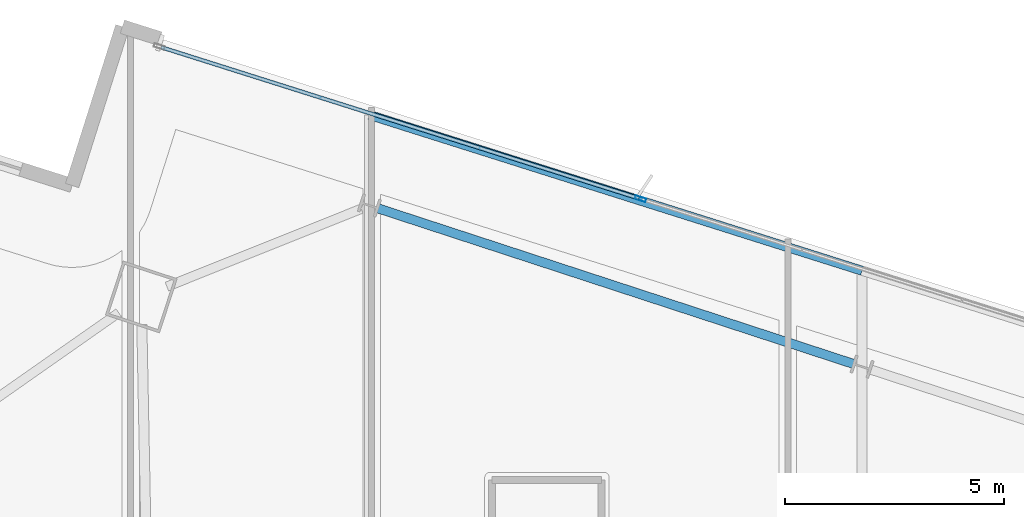
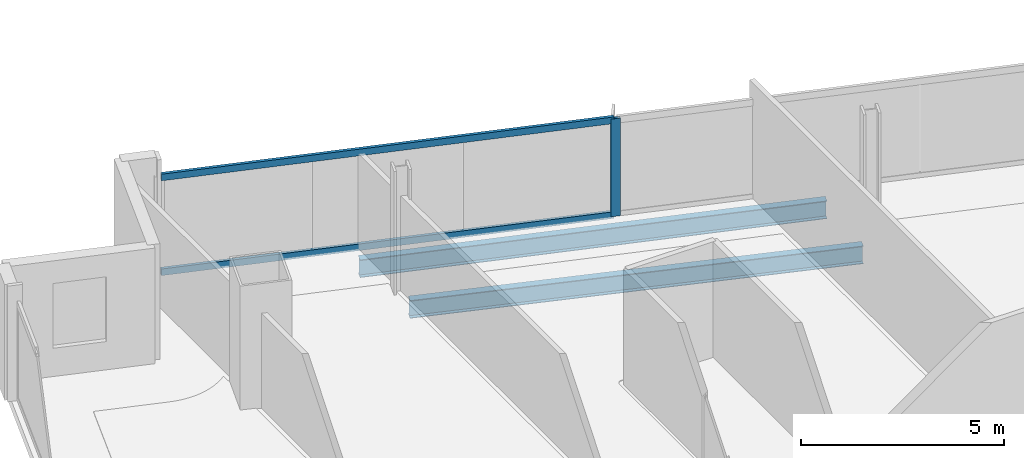
# One storey, part 13 of 26: 3 members, 2 beams, 1 element without a shape of its own.
"""IFC4 building model written with IfcOpenShell, lengths in metres."""

from ifc_helpers import new_model, si_unit, direction, frame, origin, origin_2d, place, context, subcontext, project, spatial, hollow_rectangle, i_section, extrude, material, material_profile, profile_set, type_object, element, aggregate, save


model = new_model("IFC4")

# Units and contexts
model_context = context("Model", 3, precision=1e-05, world=origin(), true_north=direction((0.0, 1.0)))
body_context = subcontext(model_context, "Body", "Model", "MODEL_VIEW")
ifc_project = project(units=[si_unit("LENGTHUNIT", "METRE"), si_unit("AREAUNIT", "SQUARE_METRE"), si_unit("VOLUMEUNIT", "CUBIC_METRE"), si_unit("PLANEANGLEUNIT", "RADIAN"), si_unit("MASSUNIT", "GRAM", prefix="KILO")], contexts=[model_context])

# Site, building, storey
site_placement = place(None, origin())
site = spatial("IfcSite", under=ifc_project, at=site_placement, CompositionType="ELEMENT")
building_placement = place(site_placement, origin())
building = spatial("IfcBuilding", under=site, at=building_placement, Name="Haldenkirk Collegiate Tower", CompositionType="ELEMENT")
storey_placement = place(building_placement, frame((0.0, 0.0, 271.199951171875)))
storey = spatial("IfcBuildingStorey", under=building, at=storey_placement, Name="L68", CompositionType="ELEMENT", Elevation=271.199951171875)

# Beams
ifc_material_1 = material(Name="Steel ASTM A992 Grade 50", Category="steel")
ifc_material_profile_1 = material_profile(ifc_material_1, i_section(OverallWidth=0.2099609375, OverallDepth=0.537109375, WebThickness=0.010986328125, FlangeThickness=0.017333984375, at=origin_2d()), Name="W21X68")
ifc_profile_set_1 = profile_set([ifc_material_profile_1], Name="Steel ASTM A992 Grade 50")
beam_type = type_object("IfcBeamType", Name="BM-SPANDREL-W21X68", PredefinedType="SPANDREL", material=ifc_profile_set_1)
beam_1_placement = place(storey_placement, frame((42.99755859375, 45.54296875, -0.538330078125), z_axis=(-0.950408846531, 0.311003254701, 0.0), x_axis=(-0.311003254701, -0.950408846531, 0.0)))
element("IfcBeam", 1, at=beam_1_placement, inside=storey, type_object=beam_type, Name="L68 perimeter spandrel beam 07", PredefinedType="SPANDREL", context=body_context, shape_type="SweptSolid", body=[
    extrude(i_section(OverallWidth=0.2099609375, OverallDepth=0.537109375, WebThickness=0.010986328125, FlangeThickness=0.017333984375, at=origin_2d()), origin(), (0.0, 0.0, 1.0), 11.421875),
])
beam_2_placement = place(storey_placement, frame((43.18994140625, 47.670654296875, -0.538330078125), z_axis=(-0.953453316887, 0.301540664781, 0.0), x_axis=(-0.301540664781, -0.953453316887, 0.0)))
element("IfcBeam", 2, at=beam_2_placement, inside=storey, type_object=beam_type, Name="L68 outer facade edge beam 2B", PredefinedType="SPANDREL", context=body_context, shape_type="SweptSolid", body=[
    extrude(i_section(OverallWidth=0.2099609375, OverallDepth=0.537109375, WebThickness=0.010986328125, FlangeThickness=0.017333984375, at=origin_2d()), origin(), (0.0, 0.0, 1.0), 11.789306640625),
])

# Curtain wall, members
ifc_material_2 = material(Name="Anodised architectural bronze aluminium", Category="aluminium")
curtain_wall_type = type_object("IfcCurtainWallType", Name="CW-SYS1B-CONVEX-HI", PredefinedType="USERDEFINED", material=ifc_material_2)
curtain_wall_placement = place(storey_placement, origin())
curtain_wall = element("IfcCurtainWall", 3, at=curtain_wall_placement, inside=storey, type_object=curtain_wall_type, Name="L68 Upper tower high-wind convex bronze unitised curtain wall", ObjectType="UNITISED CURTAIN WALL", PredefinedType="USERDEFINED")
ifc_material_profile_2 = material_profile(ifc_material_2, hollow_rectangle(XDim=0.0849609375, YDim=0.25, WallThickness=0.0048828125, at=origin_2d()), Name="CW-MUL-1B")
ifc_profile_set_2 = profile_set([ifc_material_profile_2], Name="Anodised architectural bronze aluminium")
member_type_1 = type_object("IfcMemberType", Name="CW-MUL-1B", PredefinedType="MULLION", material=ifc_profile_set_2)
member_1_placement = place(storey_placement, frame((38.13671875, 49.310791015625, 0.0), z_axis=(0.0, 0.0, 1.0), x_axis=(0.301537400144, 0.95345434936, 0.0)))
member_1 = element("IfcMember", 4, at=member_1_placement, type_object=member_type_1, Name="CW-1B mullion 2", PredefinedType="MULLION", context=body_context, shape_type="SweptSolid", body=[
    extrude(hollow_rectangle(XDim=0.0849609375, YDim=0.25, WallThickness=0.0048828125, at=origin_2d()), origin(), (0.0, 0.0, 1.0), 2.93798828125),
])
ifc_material_profile_3 = material_profile(ifc_material_2, hollow_rectangle(XDim=0.0849609375, YDim=0.199951171875, WallThickness=0.0048828125, at=origin_2d()), Name="CW-TRN-1B")
ifc_profile_set_3 = profile_set([ifc_material_profile_3], Name="Anodised architectural bronze aluminium")
member_type_2 = type_object("IfcMemberType", Name="CW-TRN-1B", PredefinedType="USERDEFINED", material=ifc_profile_set_3)
member_2_placement = place(storey_placement, frame((27.197509765625, 52.770263671875, 0.04248046875), z_axis=(0.953454752366, -0.301536125846, 0.0), x_axis=(0.301536125846, 0.953454752366, 0.0)))
member_2 = element("IfcMember", 5, at=member_2_placement, type_object=member_type_2, Name="CW-1B transom 1.1", ObjectType="TRANSOM", PredefinedType="USERDEFINED", context=body_context, shape_type="SweptSolid", body=[
    extrude(hollow_rectangle(XDim=0.0849609375, YDim=0.199951171875, WallThickness=0.0048828125, at=origin_2d()), origin(), (0.0, 0.0, 1.0), 11.4306640625),
])
member_3_placement = place(storey_placement, frame((27.197509765625, 52.770263671875, 2.8955078125), z_axis=(0.953454752366, -0.301536125846, 0.0), x_axis=(0.301536125846, 0.953454752366, 0.0)))
member_3 = element("IfcMember", 6, at=member_3_placement, type_object=member_type_2, Name="CW-1B transom 1.2", ObjectType="TRANSOM", PredefinedType="USERDEFINED", context=body_context, shape_type="SweptSolid", body=[
    extrude(hollow_rectangle(XDim=0.0849609375, YDim=0.199951171875, WallThickness=0.0048828125, at=origin_2d()), origin(), (0.0, 0.0, 1.0), 11.4306640625),
])
aggregate(curtain_wall, [member_1, member_2, member_3])

save(model, "model.ifc")
